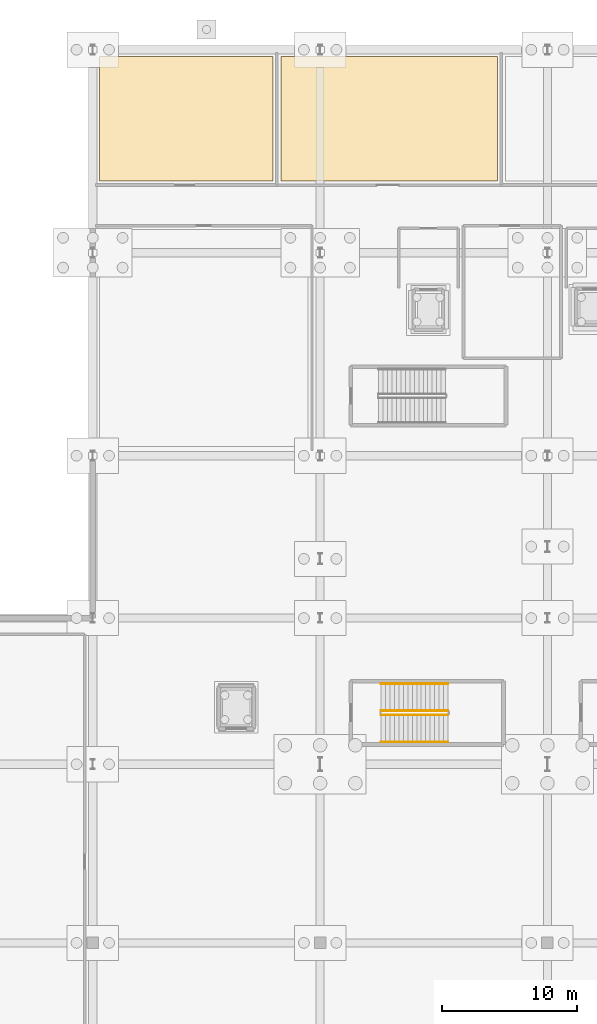
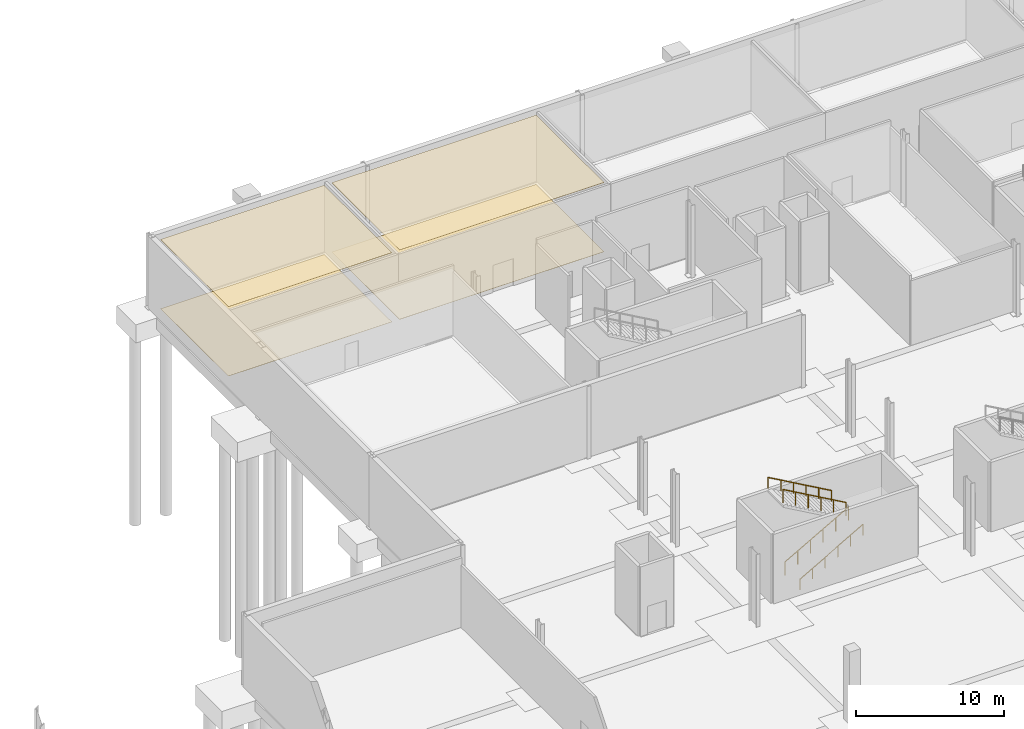
# One storey, part 39 of 46: 4 coverings, 4 railings.
"""IFC4 building model written with IfcOpenShell, lengths in metres."""

from ifc_helpers import new_model, si_unit, direction, frame, origin, origin_2d, place, context, subcontext, project, spatial, polyline, circle, outline, extrude, material, layer, layer_set, type_object, element, save


model = new_model("IFC4")

# Units and contexts
model_context = context("Model", 3, precision=1e-05, world=origin(), true_north=direction((0.0, 1.0)))
body_context = subcontext(model_context, "Body", "Model", "MODEL_VIEW")
ifc_project = project(units=[si_unit("LENGTHUNIT", "METRE"), si_unit("AREAUNIT", "SQUARE_METRE"), si_unit("VOLUMEUNIT", "CUBIC_METRE"), si_unit("PLANEANGLEUNIT", "RADIAN"), si_unit("MASSUNIT", "GRAM", prefix="KILO")], contexts=[model_context])

# Site, building, storey
site_placement = place(None, origin())
site = spatial("IfcSite", under=ifc_project, at=site_placement, CompositionType="ELEMENT")
building_placement = place(site_placement, origin())
building = spatial("IfcBuilding", under=site, at=building_placement, Name="Kimbaza Rail Terminus", CompositionType="ELEMENT")
storey_placement = place(building_placement, frame((0.0, 0.0, -6.0)))
storey = spatial("IfcBuildingStorey", under=building, at=storey_placement, Name="B1", CompositionType="ELEMENT", Elevation=-6.0)

# Coverings
ifc_material_1 = material(Name="Perforated acoustic mineral ceiling tile", Category="gypsum")
ifc_layer_1 = layer(ifc_material_1, 0.02490234375)
ifc_layer_set_1 = layer_set([ifc_layer_1], Name="Perforated acoustic mineral ceiling tile")
covering_type_1 = type_object("IfcCoveringType", Name="ARC-COV-CEIL", PredefinedType="CEILING", material=ifc_layer_set_1)
covering_1_placement = place(storey_placement, frame((0.0, 0.0, 5.72998046875)))
element("IfcCovering", 1, at=covering_1_placement, inside=storey, type_object=covering_type_1, Name="Signalling Redundant UPS Room Acoustic Ceiling", PredefinedType="CEILING", context=body_context, shape_type="SweptSolid", body=[
    extrude(outline(polyline([(55.699951171875, 123.300048828125), (68.5, 123.300048828125), (68.5, 132.5), (55.699951171875, 132.5), (55.699951171875, 123.300048828125)])), origin(), (0.0, 0.0, 1.0), 0.02490234375),
])
covering_2_placement = place(storey_placement, frame((0.0, 0.0, 5.72998046875)))
element("IfcCovering", 2, at=covering_2_placement, inside=storey, type_object=covering_type_1, Name="Traction Power Substation Hall Acoustic Ceiling", PredefinedType="CEILING", context=body_context, shape_type="SweptSolid", body=[
    extrude(outline(polyline([(69.10009765625, 123.300048828125), (85.10009765625, 123.300048828125), (85.10009765625, 132.5), (69.10009765625, 132.5), (69.10009765625, 123.300048828125)])), origin(), (0.0, 0.0, 1.0), 0.02490234375),
])
ifc_material_2 = material(Name="Honed Congolese granite terrazzo flooring", Category="masonry")
ifc_layer_2 = layer(ifc_material_2, 0.02001953125)
ifc_layer_set_2 = layer_set([ifc_layer_2], Name="Honed Congolese granite terrazzo flooring")
covering_type_2 = type_object("IfcCoveringType", Name="ARC-COV-FLOR", PredefinedType="FLOORING", material=ifc_layer_set_2)
covering_3_placement = place(storey_placement, origin())
element("IfcCovering", 3, at=covering_3_placement, inside=storey, type_object=covering_type_2, Name="Signalling Redundant UPS Room Terrazzo Flooring", PredefinedType="FLOORING", context=body_context, shape_type="SweptSolid", body=[
    extrude(outline(polyline([(55.699951171875, 123.300048828125), (68.5, 123.300048828125), (68.5, 132.5), (55.699951171875, 132.5), (55.699951171875, 123.300048828125)])), origin(), (0.0, 0.0, 1.0), 0.02001953125),
])
covering_4_placement = place(storey_placement, origin())
element("IfcCovering", 4, at=covering_4_placement, inside=storey, type_object=covering_type_2, Name="Traction Power Substation Hall Terrazzo Flooring", PredefinedType="FLOORING", context=body_context, shape_type="SweptSolid", body=[
    extrude(outline(polyline([(69.10009765625, 123.300048828125), (85.10009765625, 123.300048828125), (85.10009765625, 132.5), (69.10009765625, 132.5), (69.10009765625, 123.300048828125)])), origin(), (0.0, 0.0, 1.0), 0.02001953125),
])

# Railings
ifc_material_3 = material(Name="Brushed stainless steel handrail", Category="steel")
railing_type_1 = type_object("IfcRailingType", Name="ARC-RL-HND92", PredefinedType="HANDRAIL", material=ifc_material_3)
railing_1_placement = place(storey_placement, frame((76.5, 81.85009765625, 0.1875)))
element("IfcRailing", 5, at=railing_1_placement, inside=storey, type_object=railing_type_1, Name="B1 ST-C1 stair handrail 1", PredefinedType="HANDRAIL", context=body_context, shape_type="SweptSolid", body=[
    extrude(circle(Radius=0.02392578125, at=origin_2d()), frame((0.0, 0.0, 0.8759765625), z_axis=(0.869454464302, 0.0, 0.494013091431), x_axis=(0.0, 1.0, 0.0)), (0.0, 0.0, 1.0), 5.693115234375),
    extrude(circle(Radius=0.02099609375, at=origin_2d()), origin(), (0.0, 0.0, 1.0), 0.851806640625),
    extrude(circle(Radius=0.02099609375, at=origin_2d()), frame((0.989990234375, 0.0, 0.5625)), (0.0, 0.0, 1.0), 0.851806640625),
    extrude(circle(Radius=0.02099609375, at=origin_2d()), frame((1.97998046875, 0.0, 1.125)), (0.0, 0.0, 1.0), 0.851806640625),
    extrude(circle(Radius=0.02099609375, at=origin_2d()), frame((2.969970703125, 0.0, 1.6875)), (0.0, 0.0, 1.0), 0.851806640625),
    extrude(circle(Radius=0.02099609375, at=origin_2d()), frame((3.9599609375, 0.0, 2.25)), (0.0, 0.0, 1.0), 0.851806640625),
    extrude(circle(Radius=0.02099609375, at=origin_2d()), frame((4.949951171875, 0.0, 2.8125)), (0.0, 0.0, 1.0), 0.851806640625),
])
railing_2_placement = place(storey_placement, frame((81.449951171875, 86.14990234375, 3.1875)))
element("IfcRailing", 6, at=railing_2_placement, inside=storey, type_object=railing_type_1, Name="B1 ST-C1 stair handrail 2", PredefinedType="HANDRAIL", context=body_context, shape_type="SweptSolid", body=[
    extrude(circle(Radius=0.02392578125, at=origin_2d()), frame((0.0, 0.0, 0.8759765625), z_axis=(-0.869454464302, 0.0, 0.494013091431), x_axis=(0.0, -1.0, 0.0)), (0.0, 0.0, 1.0), 5.693115234375),
    extrude(circle(Radius=0.02099609375, at=origin_2d()), origin(), (0.0, 0.0, 1.0), 0.851806640625),
    extrude(circle(Radius=0.02099609375, at=origin_2d()), frame((-0.989990234375, 0.0, 0.5625)), (0.0, 0.0, 1.0), 0.851806640625),
    extrude(circle(Radius=0.02099609375, at=origin_2d()), frame((-1.97998046875, 0.0, 1.125)), (0.0, 0.0, 1.0), 0.851806640625),
    extrude(circle(Radius=0.02099609375, at=origin_2d()), frame((-2.969970703125, 0.0, 1.6875)), (0.0, 0.0, 1.0), 0.851806640625),
    extrude(circle(Radius=0.02099609375, at=origin_2d()), frame((-3.9599609375, 0.0, 2.25)), (0.0, 0.0, 1.0), 0.851806640625),
    extrude(circle(Radius=0.02099609375, at=origin_2d()), frame((-4.949951171875, 0.0, 2.8125)), (0.0, 0.0, 1.0), 0.851806640625),
])
ifc_material_4 = material(Name="Painted tubular steel stair well guard", Category="steel")
railing_type_2 = type_object("IfcRailingType", Name="ARC-RL-STGRD", PredefinedType="GUARDRAIL", material=ifc_material_4)
railing_3_placement = place(storey_placement, frame((76.5, 83.85009765625, 0.1875)))
element("IfcRailing", 7, at=railing_3_placement, inside=storey, type_object=railing_type_2, Name="B1 ST-C1 stair guard 1", PredefinedType="GUARDRAIL", context=body_context, shape_type="SweptSolid", body=[
    extrude(circle(Radius=0.02392578125, at=origin_2d()), frame((0.0, 0.0, 1.09619140625), z_axis=(0.869454464302, 0.0, 0.494013091431), x_axis=(0.0, 1.0, 0.0)), (0.0, 0.0, 1.0), 5.693115234375),
    extrude(circle(Radius=0.02099609375, at=origin_2d()), origin(), (0.0, 0.0, 1.0), 1.072021484375),
    extrude(circle(Radius=0.02099609375, at=origin_2d()), frame((0.989990234375, 0.0, 0.5625)), (0.0, 0.0, 1.0), 1.072021484375),
    extrude(circle(Radius=0.02099609375, at=origin_2d()), frame((1.97998046875, 0.0, 1.125)), (0.0, 0.0, 1.0), 1.072021484375),
    extrude(circle(Radius=0.02099609375, at=origin_2d()), frame((2.969970703125, 0.0, 1.6875)), (0.0, 0.0, 1.0), 1.072021484375),
    extrude(circle(Radius=0.02099609375, at=origin_2d()), frame((3.9599609375, 0.0, 2.25)), (0.0, 0.0, 1.0), 1.072021484375),
    extrude(circle(Radius=0.02099609375, at=origin_2d()), frame((4.949951171875, 0.0, 2.8125)), (0.0, 0.0, 1.0), 1.072021484375),
])
railing_4_placement = place(storey_placement, frame((81.449951171875, 84.14990234375, 3.1875)))
element("IfcRailing", 8, at=railing_4_placement, inside=storey, type_object=railing_type_2, Name="B1 ST-C1 stair guard 3", PredefinedType="GUARDRAIL", context=body_context, shape_type="SweptSolid", body=[
    extrude(circle(Radius=0.02392578125, at=origin_2d()), frame((0.0, 0.0, 1.09619140625), z_axis=(-0.869454464302, 0.0, 0.494013091431), x_axis=(0.0, -1.0, 0.0)), (0.0, 0.0, 1.0), 5.693115234375),
    extrude(circle(Radius=0.02099609375, at=origin_2d()), origin(), (0.0, 0.0, 1.0), 1.072021484375),
    extrude(circle(Radius=0.02099609375, at=origin_2d()), frame((-0.989990234375, 0.0, 0.5625)), (0.0, 0.0, 1.0), 1.072021484375),
    extrude(circle(Radius=0.02099609375, at=origin_2d()), frame((-1.97998046875, 0.0, 1.125)), (0.0, 0.0, 1.0), 1.072021484375),
    extrude(circle(Radius=0.02099609375, at=origin_2d()), frame((-2.969970703125, 0.0, 1.6875)), (0.0, 0.0, 1.0), 1.072021484375),
    extrude(circle(Radius=0.02099609375, at=origin_2d()), frame((-3.9599609375, 0.0, 2.25)), (0.0, 0.0, 1.0), 1.072021484375),
    extrude(circle(Radius=0.02099609375, at=origin_2d()), frame((-4.949951171875, 0.0, 2.8125)), (0.0, 0.0, 1.0), 1.072021484375),
])

save(model, "model.ifc")
